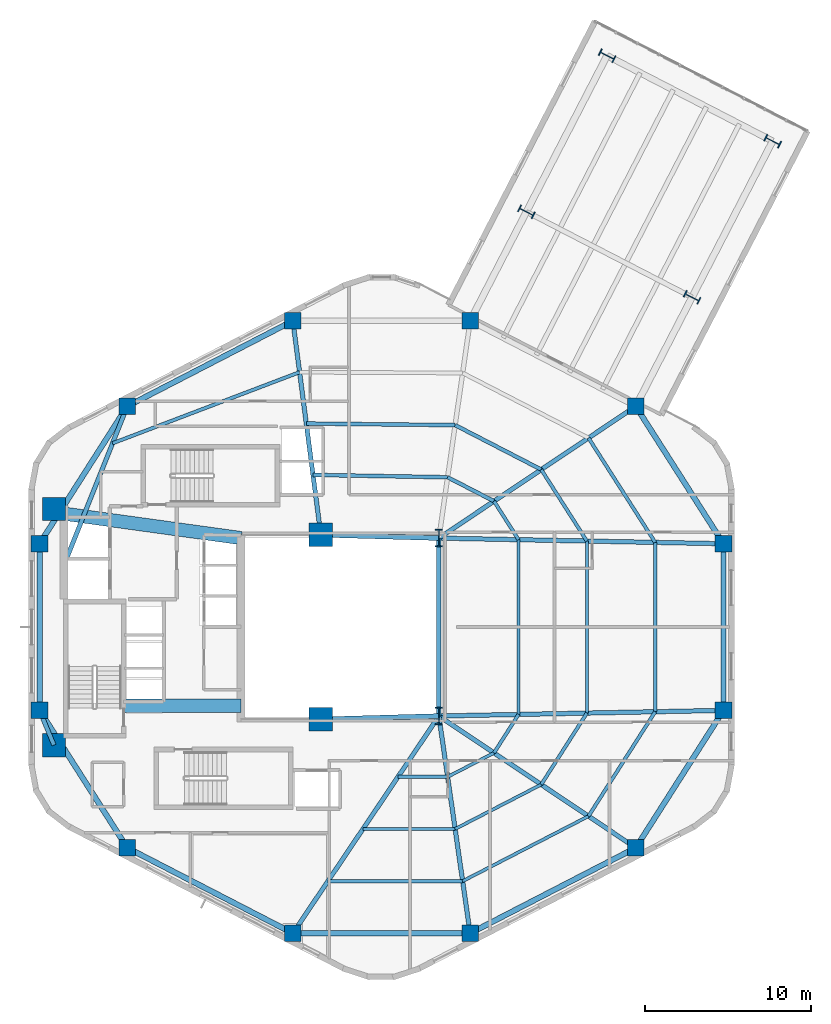
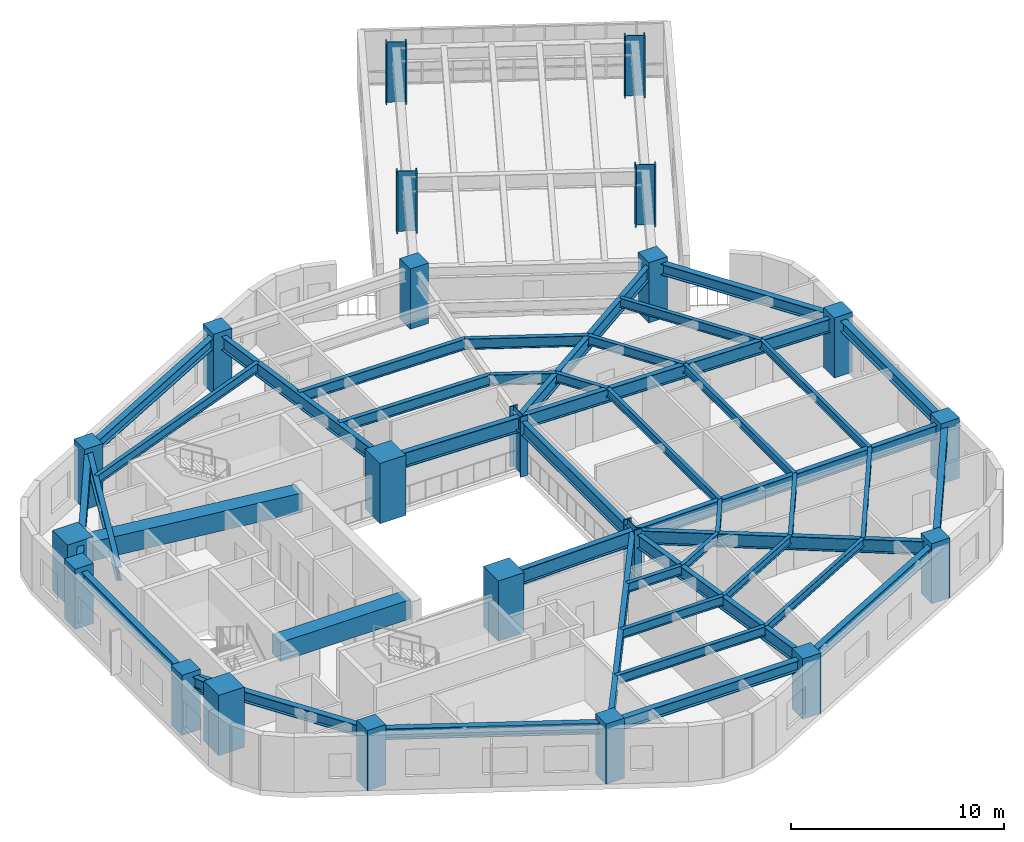
# One storey, part 1 of 10: 44 beams, 22 columns.
"""IFC4 building model written with IfcOpenShell, lengths in metres."""

import ifcopenshell
import ifcopenshell.guid

model = None  # the IFC model being written
_history = None  # IfcOwnerHistory: only IFC2X3 demands one
_inside = {}  # id of a spatial element -> (the spatial element, [elements in it])
_under = {}  # id of a project, library or spatial element -> (it, [spatial elements below it])
_declared = {}  # id of a project -> (the project, [libraries it declares])
_typed = {}  # id of a type object -> (the type object, [elements of that type])
_made_of = {}  # id of a material, layer set ... -> (it, [elements and type objects made of it])


def new_model(schema):
    """Start an empty IFC model of exactly this schema.

    Asked for "IFC4X3", IfcOpenShell would pick the latest addendum, in which some entities
    have other attributes; the version numbers below select the first issue.
    IFC2X3 requires an IfcOwnerHistory on every rooted entity: one is made here for all.
    """
    global model, _history
    if schema == "IFC4X3":
        model = ifcopenshell.file(schema_version=(4, 3, 0, 0))
    else:
        model = ifcopenshell.file(schema=schema)
    _inside.clear()
    _under.clear()
    _declared.clear()
    _typed.clear()
    _made_of.clear()
    _history = None
    if model.schema == "IFC2X3":
        org = make("IfcOrganization", Name="unknown")
        user = make(
            "IfcPersonAndOrganization",
            ThePerson=make("IfcPerson", FamilyName="unknown"),
            TheOrganization=org,
        )
        app = make(
            "IfcApplication",
            ApplicationDeveloper=org,
            Version="unknown",
            ApplicationFullName="unknown",
            ApplicationIdentifier="unknown",
        )
        _history = make(
            "IfcOwnerHistory",
            OwningUser=user,
            OwningApplication=app,
            ChangeAction="ADDED",
            CreationDate=0,
        )
    return model


def make(cls, **values):
    """One entity of the class cls with the attributes given. An attribute that is None is left unset."""
    return model.create_entity(
        cls, **{name: value for name, value in values.items() if value is not None}
    )


def rooted(cls, **values):
    """An entity with a GlobalId (a new one), such as an element, a storey or a relation."""
    return make(cls, GlobalId=ifcopenshell.guid.new(), OwnerHistory=_history, **values)


def si_unit(unit_type, name, prefix=None):
    """IfcSIUnit, for example si_unit("LENGTHUNIT", "METRE", prefix="MILLI")."""
    return make("IfcSIUnit", UnitType=unit_type, Prefix=prefix, Name=name)


def assignment(units):
    """IfcUnitAssignment: the units of a project."""
    return None if units is None else make("IfcUnitAssignment", Units=units)


def point(xyz):
    """IfcCartesianPoint."""
    return None if xyz is None else make("IfcCartesianPoint", Coordinates=xyz)


def direction(xyz):
    """IfcDirection."""
    return None if xyz is None else make("IfcDirection", DirectionRatios=xyz)


def frame(location, z_axis=None, x_axis=None):
    """IfcAxis2Placement3D, a coordinate frame: its origin and axes. An axis left out is left unset."""
    return make(
        "IfcAxis2Placement3D",
        Location=point(location),
        Axis=direction(z_axis),
        RefDirection=direction(x_axis),
    )


def frame_2d(location, x_axis=None):
    """IfcAxis2Placement2D, a coordinate frame in the plane: its origin and x axis."""
    return make(
        "IfcAxis2Placement2D", Location=point(location), RefDirection=direction(x_axis)
    )


def origin():
    """The frame at (0, 0, 0) with its axes left unset."""
    return frame((0.0, 0.0, 0.0))


def origin_2d():
    """The frame at (0, 0) in the plane with its x axis left unset."""
    return frame_2d((0.0, 0.0))


def place(relative_to, where):
    """IfcLocalPlacement: puts the frame where relative to a parent placement (None: the world)."""
    return make(
        "IfcLocalPlacement", PlacementRelTo=relative_to, RelativePlacement=where
    )


def context(
    kind, dimensions, precision=None, world=None, true_north=None, identifier=None
):
    """IfcGeometricRepresentationContext, for example the 3D "Model" context."""
    return make(
        "IfcGeometricRepresentationContext",
        ContextIdentifier=identifier,
        ContextType=kind,
        CoordinateSpaceDimension=dimensions,
        Precision=precision,
        WorldCoordinateSystem=world,
        TrueNorth=true_north,
    )


def subcontext(parent, identifier, kind, view, scale=None):
    """IfcGeometricRepresentationSubContext, for example "Body" below "Model"."""
    return make(
        "IfcGeometricRepresentationSubContext",
        ContextIdentifier=identifier,
        ContextType=kind,
        ParentContext=parent,
        TargetScale=scale,
        TargetView=view,
    )


def project(units=None, contexts=None):
    """IfcProject with its units and contexts."""
    return rooted(
        "IfcProject",
        Name="project",
        RepresentationContexts=contexts,
        UnitsInContext=assignment(units),
    )


def spatial(cls, under=None, at=None, **own):
    """A site, building, storey or space (cls), placed at a placement, below another one or the project."""
    s = rooted(cls, ObjectPlacement=at, **own)
    if under is not None:
        _under.setdefault(under.id(), (under, []))[1].append(s)
    return s


def profile(cls, at=None, kind="AREA", **sizes):
    """A parametric profile (cls). Its sizes go by their IFC names, for example OverallWidth=200.0."""
    return make(cls, ProfileType=kind, Position=at, **sizes)


def rectangle(**sizes):
    """IfcRectangleProfileDef."""
    return profile("IfcRectangleProfileDef", **sizes)


def i_section(**sizes):
    """IfcIShapeProfileDef."""
    return profile("IfcIShapeProfileDef", **sizes)


def extrude(swept, where, along, depth):
    """IfcExtrudedAreaSolid: the profile swept, set in the frame where, extruded along a direction by depth."""
    return make(
        "IfcExtrudedAreaSolid",
        SweptArea=swept,
        Position=where,
        ExtrudedDirection=direction(along),
        Depth=depth,
    )


def shape(context_of_items, identifier, shape_type, items):
    """IfcShapeRepresentation: the items that make up one representation, for example the "Body"."""
    return make(
        "IfcShapeRepresentation",
        ContextOfItems=context_of_items,
        RepresentationIdentifier=identifier,
        RepresentationType=shape_type,
        Items=items,
    )


def material(Name=None, Category=None):
    """IfcMaterial."""
    return make("IfcMaterial", Name=Name, Category=Category)


def material_profile(
    of_material, cross_section, Name=None, Category=None, Priority=None
):
    """IfcMaterialProfile: a cross section and its material."""
    return make(
        "IfcMaterialProfile",
        Name=Name,
        Material=of_material,
        Profile=cross_section,
        Priority=Priority,
        Category=Category,
    )


def profile_set(profiles, Name=None, composite=None):
    """IfcMaterialProfileSet."""
    return make(
        "IfcMaterialProfileSet",
        Name=Name,
        MaterialProfiles=profiles,
        CompositeProfile=composite,
    )


def made_of(thing, what):
    """Note that an element or type object is made of a material, layer set ...; save() writes the relation."""
    if what is not None:
        _made_of.setdefault(what.id(), (what, []))[1].append(thing)
    return thing


def type_object(cls, material=None, **own):
    """A type object (cls), such as IfcWallType, which elements share."""
    return made_of(rooted(cls, **own), material)


def element(
    cls,
    number,
    at=None,
    inside=None,
    cuts=None,
    type_object=None,
    material=None,
    context=None,
    identifier="Body",
    shape_type=None,
    held_by="IfcProductDefinitionShape",
    body=None,
    shapes=None,
    **own,
):
    """One element of the class cls, such as IfcWall. Its Tag is "e" and its number.

    at: its placement. inside: the storey or other place that contains it. cuts: it is an
    opening in that element (IfcRelVoidsElement). A single representation is given by context,
    identifier, shape_type and body (its items); several are given by shapes. held_by: the class
    of the entity that holds the representations. save() writes the other relations.
    """
    e = rooted(cls, Tag="e%d" % number, ObjectPlacement=at, **own)
    if body is not None:
        shapes = [shape(context, identifier, shape_type, body)]
    if shapes is not None:
        e.Representation = make(held_by, Representations=shapes)
    if inside is not None:
        _inside.setdefault(inside.id(), (inside, []))[1].append(e)
    if cuts is not None:
        rooted(
            "IfcRelVoidsElement", RelatingBuildingElement=cuts, RelatedOpeningElement=e
        )
    if type_object is not None:
        _typed.setdefault(type_object.id(), (type_object, []))[1].append(e)
    return made_of(e, material)


def aggregate(whole, parts):
    """IfcRelAggregates: a whole, such as a stair, and the parts it consists of."""
    return rooted("IfcRelAggregates", RelatingObject=whole, RelatedObjects=parts)


def save(model, path):
    """Write the relations noted so far, then the file.

    IfcRelAggregates (storeys below a building ...), IfcRelContainedInSpatialStructure (elements
    in a storey), IfcRelDefinesByType, IfcRelAssociatesMaterial and IfcRelDeclares: one each for
    every whole, place, type object, material and project.
    """
    for whole, parts in _under.values():
        aggregate(whole, parts)
    for where, things in _inside.values():
        rooted(
            "IfcRelContainedInSpatialStructure",
            RelatedElements=things,
            RelatingStructure=where,
        )
    for kind, things in _typed.values():
        rooted("IfcRelDefinesByType", RelatedObjects=things, RelatingType=kind)
    for what, things in _made_of.values():
        rooted("IfcRelAssociatesMaterial", RelatedObjects=things, RelatingMaterial=what)
    for by, libraries in _declared.values():
        rooted("IfcRelDeclares", RelatingContext=by, RelatedDefinitions=libraries)
    model.write(path)


model = new_model("IFC4")

# Units and contexts
model_context = context("Model", 3, precision=1e-05, world=origin(), true_north=direction((0.0, 1.0)))
body_context = subcontext(model_context, "Body", "Model", "MODEL_VIEW")
ifc_project = project(units=[si_unit("LENGTHUNIT", "METRE"), si_unit("AREAUNIT", "SQUARE_METRE"), si_unit("VOLUMEUNIT", "CUBIC_METRE"), si_unit("PLANEANGLEUNIT", "RADIAN"), si_unit("MASSUNIT", "GRAM", prefix="KILO"), si_unit("THERMODYNAMICTEMPERATUREUNIT", "KELVIN"), si_unit("POWERUNIT", "WATT")], contexts=[model_context])

# Site, building, storey
site_placement = place(None, origin())
site = spatial("IfcSite", under=ifc_project, at=site_placement, CompositionType="ELEMENT")
building_placement = place(site_placement, origin())
building = spatial("IfcBuilding", under=site, at=building_placement, Name="Skarre Station Tower", CompositionType="ELEMENT")
storey_placement = place(building_placement, frame((0.0, 0.0, 115.35009765625)))
storey = spatial("IfcBuildingStorey", under=building, at=storey_placement, Name="L30", CompositionType="ELEMENT", Elevation=115.35009765625)

# Columns
ifc_material_1 = material(Name="Concrete C60/75", Category="concrete")
ifc_material_profile_1 = material_profile(ifc_material_1, rectangle(XDim=1.0, YDim=1.0, at=origin_2d()), Name="Concrete C60/75")
ifc_profile_set_1 = profile_set([ifc_material_profile_1], Name="Concrete C60/75")
column_type_1 = type_object("IfcColumnType", Name="RC Structural Column RC-COL-1000X1000", PredefinedType="COLUMN", material=ifc_profile_set_1)
for number, where, z_axis, x_axis, name in (
    (1, (51.291015625, 37.277099609375, 0.0), (0.0, 0.0, 1.0), (1.0, 0.0, 0.0), "L30 Zone 2 Perimeter Column F0C1"),
    (2, (41.3310546875, 42.41796875, 0.0), (0.0, 0.0, 1.0), (1.0, 0.0, 0.0), "L30 Zone 2 Perimeter Column F0C2"),
    (3, (30.6689453125, 42.41796875, 0.0), (0.0, 0.0, 1.0), (1.0, 0.0, 0.0), "L30 Zone 2 Perimeter Column F1C1"),
    (4, (20.708984375, 37.277099609375, 0.0), (0.0, 0.0, 1.0), (1.0, 0.0, 0.0), "L30 Zone 2 Perimeter Column F1C2"),
    (5, (15.431884765625, 29.010986328125, 0.0), (0.0, 0.0, 1.0), (1.0, 0.0, 0.0), "L30 Zone 2 Perimeter Column F2C1"),
    (6, (15.431884765625, 18.989013671875, 0.0), (0.0, 0.0, 1.0), (1.0, 0.0, 0.0), "L30 Zone 2 Perimeter Column F2C2"),
    (7, (20.708984375, 10.722900390625, 0.0), (0.0, 0.0, 1.0), (1.0, 0.0, 0.0), "L30 Zone 2 Perimeter Column F3C1"),
    (8, (30.6689453125, 5.58203125, 0.0), (0.0, 0.0, 1.0), (1.0, 0.0, 0.0), "L30 Zone 2 Perimeter Column F3C2"),
    (9, (41.3310546875, 5.58203125, 0.0), (0.0, 0.0, 1.0), (1.0, 0.0, 0.0), "L30 Zone 2 Perimeter Column F4C1"),
    (10, (51.291015625, 10.722900390625, 0.0), (0.0, 0.0, 1.0), (1.0, 0.0, 0.0), "L30 Zone 2 Perimeter Column F4C2"),
    (11, (56.568115234375, 18.989013671875, 0.0), (0.0, 0.0, 1.0), (1.0, 0.0, 0.0), "L30 Zone 2 Perimeter Column F5C1"),
    (12, (56.568115234375, 29.010986328125, 0.0), (0.0, 0.0, 1.0), (1.0, 0.0, 0.0), "L30 Zone 2 Perimeter Column F5C2"),
):
    element("IfcColumn", number, at=place(storey_placement, frame(where, z_axis=z_axis, x_axis=x_axis)), inside=storey, type_object=column_type_1, Name=name, PredefinedType="COLUMN", context=body_context, shape_type="SweptSolid", body=[
        extrude(rectangle(XDim=1.0, YDim=1.0, at=origin_2d()), origin(), (0.0, 0.0, 1.0), 3.449951171875),
    ])
ifc_material_2 = material(Name="Concrete C70/85", Category="concrete")
ifc_material_profile_2 = material_profile(ifc_material_2, rectangle(XDim=1.39990234375, YDim=1.39990234375, at=origin_2d()), Name="Concrete C70/85")
ifc_profile_set_2 = profile_set([ifc_material_profile_2], Name="Concrete C70/85")
column_type_2 = type_object("IfcColumnType", Name="RC Structural Column RC-COL-1400X1400", PredefinedType="COLUMN", material=ifc_profile_set_2)
for number, where, z_axis, x_axis, name in (
    (13, (16.300048828125, 16.89990234375, 0.0), (0.0, 0.0, 1.0), (1.0, 0.0, 0.0), "L30 Core Column CC-SW"),
    (14, (16.300048828125, 31.10009765625, 0.0), (0.0, 0.0, 1.0), (1.0, 0.0, 0.0), "L30 Core Column CC-NW"),
    (15, (32.35009765625, 18.449951171875, 0.0), (0.0, 0.0, 1.0), (1.0, 0.0, 0.0), "L30 Core Column CC-SE"),
    (16, (32.35009765625, 29.550048828125, 0.0), (0.0, 0.0, 1.0), (1.0, 0.0, 0.0), "L30 Core Column CC-NE"),
):
    element("IfcColumn", number, at=place(storey_placement, frame(where, z_axis=z_axis, x_axis=x_axis)), inside=storey, type_object=column_type_2, Name=name, PredefinedType="COLUMN", context=body_context, shape_type="SweptSolid", body=[
        extrude(rectangle(XDim=1.39990234375, YDim=1.39990234375, at=origin_2d()), origin(), (0.0, 0.0, 1.0), 3.449951171875),
    ])
ifc_material_3 = material(Name="Steel ASTM A913 Grade 65", Category="steel")
ifc_material_profile_3 = material_profile(ifc_material_3, i_section(OverallWidth=0.430908203125, OverallDepth=0.987060546875, WebThickness=0.033935546875, FlangeThickness=0.06201171875, at=origin_2d()), Name="Steel ASTM A913 Grade 65")
ifc_profile_set_3 = profile_set([ifc_material_profile_3], Name="Steel ASTM A913 Grade 65")
column_type_3 = type_object("IfcColumnType", Name="Steel Column W36X441", PredefinedType="COLUMN", material=ifc_profile_set_3)
for number, where, z_axis, x_axis, name in (
    (17, (54.676025390625, 43.8349609375, 0.0), (0.0, 0.0, 1.0), (0.458649554484, 0.888617232655, 0.0), "L30 SB-2 Sky-Bar Frame Column M1"),
    (18, (44.716064453125, 48.97607421875, 0.0), (0.0, 0.0, 1.0), (0.458649554484, 0.888617232655, 0.0), "L30 SB-2 Sky-Bar Frame Column M2"),
    (19, (59.52392578125, 53.22705078125, 0.0), (0.0, 0.0, 1.0), (0.458649554484, 0.888617232655, 0.0), "L30 SB-2 Sky-Bar Frame Column T1"),
    (20, (49.56396484375, 58.367919921875, 0.0), (0.0, 0.0, 1.0), (0.458649554484, 0.888617232655, 0.0), "L30 SB-2 Sky-Bar Frame Column T2"),
):
    element("IfcColumn", number, at=place(storey_placement, frame(where, z_axis=z_axis, x_axis=x_axis)), inside=storey, type_object=column_type_3, Name=name, PredefinedType="COLUMN", context=body_context, shape_type="SweptSolid", body=[
        extrude(i_section(OverallWidth=0.430908203125, OverallDepth=0.987060546875, WebThickness=0.033935546875, FlangeThickness=0.06201171875, at=origin_2d()), origin(), (0.0, 0.0, 1.0), 3.449951171875),
    ])
ifc_material_profile_4 = material_profile(ifc_material_3, i_section(OverallWidth=0.409912109375, OverallDepth=1.041015625, WebThickness=0.031005859375, FlangeThickness=0.055908203125, at=origin_2d()), Name="Steel ASTM A913 Grade 65")
ifc_profile_set_4 = profile_set([ifc_material_profile_4], Name="Steel ASTM A913 Grade 65")
column_type_4 = type_object("IfcColumnType", Name="Steel Column W40X397", PredefinedType="COLUMN", material=ifc_profile_set_4)
for number, where, z_axis, x_axis, name in (
    (21, (39.449951171875, 18.64990234375, 0.0), (0.0, 0.0, 1.0), (1.0, 0.0, 0.0), "L30 Atrium Spine Column AC-SE"),
    (22, (39.449951171875, 29.35009765625, 0.0), (0.0, 0.0, 1.0), (1.0, 0.0, 0.0), "L30 Atrium Spine Column AC-NE"),
):
    element("IfcColumn", number, at=place(storey_placement, frame(where, z_axis=z_axis, x_axis=x_axis)), inside=storey, type_object=column_type_4, Name=name, PredefinedType="COLUMN", context=body_context, shape_type="SweptSolid", body=[
        extrude(i_section(OverallWidth=0.409912109375, OverallDepth=1.041015625, WebThickness=0.031005859375, FlangeThickness=0.055908203125, at=origin_2d()), origin(), (0.0, 0.0, 1.0), 3.449951171875),
    ])

# Beams
ifc_material_profile_5 = material_profile(ifc_material_2, rectangle(XDim=0.800048828125, YDim=1.10009765625, at=origin_2d()), Name="Concrete C70/85")
ifc_profile_set_5 = profile_set([ifc_material_profile_5], Name="Concrete C70/85")
beam_type_1 = type_object("IfcBeamType", Name="RC Core Coupling Lintel 800x1100", PredefinedType="LINTEL", material=ifc_profile_set_5)
beam_1_placement = place(storey_placement, frame((20.489990234375, 19.260009765625, 2.60986328125), z_axis=(1.0, 0.0, 0.0), x_axis=(0.0, 1.0, 0.0)))
element("IfcBeam", 23, at=beam_1_placement, inside=storey, type_object=beam_type_1, Name="L30 South Core Coupling Lintel", PredefinedType="LINTEL", context=body_context, shape_type="SweptSolid", body=[
    extrude(rectangle(XDim=0.800048828125, YDim=1.10009765625, at=origin_2d()), origin(), (0.0, 0.0, 1.0), 7.06005859375),
])
beam_2_placement = place(storey_placement, frame((17.050048828125, 30.800048828125, 2.60986328125), z_axis=(0.990599723633, -0.136792498109, 0.0), x_axis=(0.136792498109, 0.990599723633, 0.0)))
element("IfcBeam", 24, at=beam_2_placement, inside=storey, type_object=beam_type_1, Name="L30 North Core Coupling Lintel", PredefinedType="LINTEL", context=body_context, shape_type="SweptSolid", body=[
    extrude(rectangle(XDim=0.800048828125, YDim=1.10009765625, at=origin_2d()), origin(), (0.0, 0.0, 1.0), 10.599609375),
])
ifc_material_4 = material(Name="Steel ASTM A992 Grade 50", Category="steel")
ifc_material_profile_6 = material_profile(ifc_material_4, i_section(OverallWidth=0.26806640625, OverallDepth=0.77001953125, WebThickness=0.01611328125, FlangeThickness=0.02490234375, at=origin_2d()), Name="Steel ASTM A992 Grade 50")
ifc_profile_set_6 = profile_set([ifc_material_profile_6], Name="Steel ASTM A992 Grade 50")
beam_type_2 = type_object("IfcBeamType", Name="Steel Beam W30X132", PredefinedType="BEAM", material=ifc_profile_set_6)
beam_3_placement = place(storey_placement, frame((39.449951171875, 18.64990234375, 2.77490234375), z_axis=(0.0, 1.0, 0.0), x_axis=(-1.0, 0.0, 0.0)))
element("IfcBeam", 25, at=beam_3_placement, inside=storey, type_object=beam_type_2, Name="L30 Atrium East Edge Girder", PredefinedType="BEAM", context=body_context, shape_type="SweptSolid", body=[
    extrude(i_section(OverallWidth=0.26806640625, OverallDepth=0.77001953125, WebThickness=0.01611328125, FlangeThickness=0.02490234375, at=origin_2d()), origin(), (0.0, 0.0, 1.0), 10.7001953125),
])
beam_4_placement = place(storey_placement, frame((39.449951171875, 29.35009765625, 2.77490234375), z_axis=(0.830981218317, 0.556300471692, 0.0), x_axis=(-0.556300471692, 0.830981218317, 0.0)))
element("IfcBeam", 26, at=beam_4_placement, inside=storey, type_object=beam_type_2, Name="L30 Radial Floor Girder F0C1", PredefinedType="BEAM", context=body_context, shape_type="SweptSolid", body=[
    extrude(i_section(OverallWidth=0.26806640625, OverallDepth=0.77001953125, WebThickness=0.01611328125, FlangeThickness=0.02490234375, at=origin_2d()), origin(), (0.0, 0.0, 1.0), 14.24951171875),
])
beam_5_placement = place(storey_placement, frame((32.35009765625, 29.550048828125, 2.77490234375), z_axis=(-0.129545878778, 0.991573429097, 0.0), x_axis=(-0.991573429097, -0.129545878778, 0.0)))
element("IfcBeam", 27, at=beam_5_placement, inside=storey, type_object=beam_type_2, Name="L30 Radial Floor Girder F1C1", PredefinedType="BEAM", context=body_context, shape_type="SweptSolid", body=[
    extrude(i_section(OverallWidth=0.26806640625, OverallDepth=0.77001953125, WebThickness=0.01611328125, FlangeThickness=0.02490234375, at=origin_2d()), origin(), (0.0, 0.0, 1.0), 12.977294921875),
])
beam_6_placement = place(storey_placement, frame((17.010009765625, 28.0, 2.77490234375), z_axis=(0.370366288946, 0.928885790618, 0.0), x_axis=(-0.928885790618, 0.370366288946, 0.0)))
element("IfcBeam", 28, at=beam_6_placement, inside=storey, type_object=beam_type_2, Name="L30 Radial Floor Girder F1C2", PredefinedType="BEAM", context=body_context, shape_type="SweptSolid", body=[
    extrude(i_section(OverallWidth=0.26806640625, OverallDepth=0.77001953125, WebThickness=0.01611328125, FlangeThickness=0.02490234375, at=origin_2d()), origin(), (0.0, 0.0, 1.0), 9.9873046875),
])
beam_7_placement = place(storey_placement, frame((16.300048828125, 16.89990234375, 2.77490234375), z_axis=(-0.383749333092, 0.923437301256, 0.0), x_axis=(-0.923437301256, -0.383749333092, 0.0)))
element("IfcBeam", 29, at=beam_7_placement, inside=storey, type_object=beam_type_2, Name="L30 Radial Floor Girder F2C2", PredefinedType="BEAM", context=body_context, shape_type="SweptSolid", body=[
    extrude(i_section(OverallWidth=0.26806640625, OverallDepth=0.77001953125, WebThickness=0.01611328125, FlangeThickness=0.02490234375, at=origin_2d()), origin(), (0.0, 0.0, 1.0), 2.26220703125),
])
beam_8_placement = place(storey_placement, frame((39.449951171875, 18.64990234375, 2.77490234375), z_axis=(-0.55773464691, -0.830019315219, 0.0), x_axis=(0.830019315219, -0.55773464691, 0.0)))
element("IfcBeam", 30, at=beam_8_placement, inside=storey, type_object=beam_type_2, Name="L30 Radial Floor Girder F3C2", PredefinedType="BEAM", context=body_context, shape_type="SweptSolid", body=[
    extrude(i_section(OverallWidth=0.26806640625, OverallDepth=0.77001953125, WebThickness=0.01611328125, FlangeThickness=0.02490234375, at=origin_2d()), origin(), (0.0, 0.0, 1.0), 15.744140625),
])
beam_9_placement = place(storey_placement, frame((39.449951171875, 18.64990234375, 2.77490234375), z_axis=(0.142480121776, -0.989797663616, 0.0), x_axis=(0.989797663616, 0.142480121776, 0.0)))
element("IfcBeam", 31, at=beam_9_placement, inside=storey, type_object=beam_type_2, Name="L30 Radial Floor Girder F4C1", PredefinedType="BEAM", context=body_context, shape_type="SweptSolid", body=[
    extrude(i_section(OverallWidth=0.26806640625, OverallDepth=0.77001953125, WebThickness=0.01611328125, FlangeThickness=0.02490234375, at=origin_2d()), origin(), (0.0, 0.0, 1.0), 13.20263671875),
])
beam_10_placement = place(storey_placement, frame((39.449951171875, 18.64990234375, 2.77490234375), z_axis=(0.830981218317, -0.556300471692, 0.0), x_axis=(0.556300471692, 0.830981218317, 0.0)))
element("IfcBeam", 32, at=beam_10_placement, inside=storey, type_object=beam_type_2, Name="L30 Radial Floor Girder F4C2", PredefinedType="BEAM", context=body_context, shape_type="SweptSolid", body=[
    extrude(i_section(OverallWidth=0.26806640625, OverallDepth=0.77001953125, WebThickness=0.01611328125, FlangeThickness=0.02490234375, at=origin_2d()), origin(), (0.0, 0.0, 1.0), 14.24951171875),
])
for number, where, z_axis, x_axis, name in (
    (33, (39.449951171875, 18.64990234375, 2.77490234375), (0.999803839107, 0.019806143142, 0.0), (-0.019806143142, 0.999803839107, 0.0), "L30 Radial Floor Girder F5C1"),
    (34, (39.449951171875, 29.35009765625, 2.77490234375), (0.999803839107, -0.019806143142, 0.0), (0.019806143142, 0.999803839107, 0.0), "L30 Radial Floor Girder F5C2"),
):
    element("IfcBeam", number, at=place(storey_placement, frame(where, z_axis=z_axis, x_axis=x_axis)), inside=storey, type_object=beam_type_2, Name=name, PredefinedType="BEAM", context=body_context, shape_type="SweptSolid", body=[
        extrude(i_section(OverallWidth=0.26806640625, OverallDepth=0.77001953125, WebThickness=0.01611328125, FlangeThickness=0.02490234375, at=origin_2d()), origin(), (0.0, 0.0, 1.0), 17.12158203125),
    ])
ifc_material_profile_7 = material_profile(ifc_material_4, i_section(OverallWidth=0.2919921875, OverallDepth=0.85888671875, WebThickness=0.01708984375, FlangeThickness=0.031005859375, at=origin_2d()), Name="Steel ASTM A992 Grade 50")
ifc_profile_set_7 = profile_set([ifc_material_profile_7], Name="Steel ASTM A992 Grade 50")
beam_type_3 = type_object("IfcBeamType", Name="Steel Beam W33X169", PredefinedType="BEAM", material=ifc_profile_set_7)
for number, where, z_axis, x_axis, name in (
    (35, (32.35009765625, 18.449951171875, 2.73095703125), (0.999603666405, 0.028151556095, 0.0), (-0.028151556095, 0.999603666405, 0.0), "L30 Atrium South Edge Girder"),
    (36, (32.35009765625, 29.550048828125, 2.73095703125), (0.999603666405, -0.028151556095, 0.0), (0.028151556095, 0.999603666405, 0.0), "L30 Atrium North Edge Girder"),
):
    element("IfcBeam", number, at=place(storey_placement, frame(where, z_axis=z_axis, x_axis=x_axis)), inside=storey, type_object=beam_type_3, Name=name, PredefinedType="BEAM", context=body_context, shape_type="SweptSolid", body=[
        extrude(i_section(OverallWidth=0.2919921875, OverallDepth=0.85888671875, WebThickness=0.01708984375, FlangeThickness=0.031005859375, at=origin_2d()), origin(), (0.0, 0.0, 1.0), 7.102783203125),
    ])
ifc_material_profile_8 = material_profile(ifc_material_4, i_section(OverallWidth=0.19091796875, OverallDepth=0.45703125, WebThickness=0.009033203125, FlangeThickness=0.013916015625, at=origin_2d()), Name="Steel ASTM A992 Grade 50")
ifc_profile_set_8 = profile_set([ifc_material_profile_8], Name="Steel ASTM A992 Grade 50")
beam_type_4 = type_object("IfcBeamType", Name="Steel Joist W18X50", PredefinedType="JOIST", material=ifc_profile_set_8)
beam_11_placement = place(storey_placement, frame((39.97705078125, 14.990966796875, 2.931884765625), z_axis=(0.88861042596, 0.458662741975, 0.0), x_axis=(-0.458662741975, 0.88861042596, 0.0)))
element("IfcBeam", 37, at=beam_11_placement, inside=storey, type_object=beam_type_4, Name="L30 Auxiliary Composite Joist 13", PredefinedType="JOIST", context=body_context, shape_type="SweptSolid", body=[
    extrude(i_section(OverallWidth=0.19091796875, OverallDepth=0.45703125, WebThickness=0.009033203125, FlangeThickness=0.013916015625, at=origin_2d()), origin(), (0.0, 0.0, 1.0), 3.13720703125),
])
beam_12_placement = place(storey_placement, frame((40.427978515625, 11.85498046875, 2.931884765625), z_axis=(0.888614598919, 0.458654657218, 0.0), x_axis=(-0.458654657218, 0.888614598919, 0.0)))
element("IfcBeam", 38, at=beam_12_placement, inside=storey, type_object=beam_type_4, Name="L30 Auxiliary Composite Joist 14", PredefinedType="JOIST", context=body_context, shape_type="SweptSolid", body=[
    extrude(i_section(OverallWidth=0.19091796875, OverallDepth=0.45703125, WebThickness=0.009033203125, FlangeThickness=0.013916015625, at=origin_2d()), origin(), (0.0, 0.0, 1.0), 5.828125),
])
beam_13_placement = place(storey_placement, frame((40.8798828125, 8.718017578125, 2.931884765625), z_axis=(0.888603699553, 0.45867577344, 0.0), x_axis=(-0.45867577344, 0.888603699553, 0.0)))
element("IfcBeam", 39, at=beam_13_placement, inside=storey, type_object=beam_type_4, Name="L30 Auxiliary Composite Joist 15", PredefinedType="JOIST", context=body_context, shape_type="SweptSolid", body=[
    extrude(i_section(OverallWidth=0.19091796875, OverallDepth=0.45703125, WebThickness=0.009033203125, FlangeThickness=0.013916015625, at=origin_2d()), origin(), (0.0, 0.0, 1.0), 8.51806640625),
])
beam_14_placement = place(storey_placement, frame((44.242919921875, 18.7451171875, 2.931884765625), z_axis=(0.0, 1.0, 0.0), x_axis=(-1.0, 0.0, 0.0)))
element("IfcBeam", 40, at=beam_14_placement, inside=storey, type_object=beam_type_4, Name="L30 Auxiliary Composite Joist 19", PredefinedType="JOIST", context=body_context, shape_type="SweptSolid", body=[
    extrude(i_section(OverallWidth=0.19091796875, OverallDepth=0.45703125, WebThickness=0.009033203125, FlangeThickness=0.013916015625, at=origin_2d()), origin(), (0.0, 0.0, 1.0), 10.509765625),
])
beam_15_placement = place(storey_placement, frame((48.35107421875, 18.825927734375, 2.931884765625), z_axis=(0.0, 1.0, 0.0), x_axis=(-1.0, 0.0, 0.0)))
element("IfcBeam", 41, at=beam_15_placement, inside=storey, type_object=beam_type_4, Name="L30 Auxiliary Composite Joist 20", PredefinedType="JOIST", context=body_context, shape_type="SweptSolid", body=[
    extrude(i_section(OverallWidth=0.19091796875, OverallDepth=0.45703125, WebThickness=0.009033203125, FlangeThickness=0.013916015625, at=origin_2d()), origin(), (0.0, 0.0, 1.0), 10.34814453125),
])
beam_16_placement = place(storey_placement, frame((52.4599609375, 18.907958984375, 2.931884765625), z_axis=(0.0, 1.0, 0.0), x_axis=(-1.0, 0.0, 0.0)))
element("IfcBeam", 42, at=beam_16_placement, inside=storey, type_object=beam_type_4, Name="L30 Auxiliary Composite Joist 21", PredefinedType="JOIST", context=body_context, shape_type="SweptSolid", body=[
    extrude(i_section(OverallWidth=0.19091796875, OverallDepth=0.45703125, WebThickness=0.009033203125, FlangeThickness=0.013916015625, at=origin_2d()), origin(), (0.0, 0.0, 1.0), 10.18408203125),
])
ifc_material_profile_9 = material_profile(ifc_material_4, i_section(OverallWidth=0.208984375, OverallDepth=0.532958984375, WebThickness=0.010009765625, FlangeThickness=0.01611328125, at=origin_2d()), Name="Steel ASTM A992 Grade 50")
ifc_profile_set_9 = profile_set([ifc_material_profile_9], Name="Steel ASTM A992 Grade 50")
beam_type_5 = type_object("IfcBeamType", Name="Steel Joist W21X62", PredefinedType="JOIST", material=ifc_profile_set_9)
beam_17_placement = place(storey_placement, frame((31.072021484375, 39.330078125, 2.893798828125), z_axis=(-0.934681982826, -0.355485008094, 0.0), x_axis=(0.355485008094, -0.934681982826, 0.0)))
element("IfcBeam", 43, at=beam_17_placement, inside=storey, type_object=beam_type_5, Name="L30 Auxiliary Composite Joist 9", PredefinedType="JOIST", context=body_context, shape_type="SweptSolid", body=[
    extrude(i_section(OverallWidth=0.208984375, OverallDepth=0.532958984375, WebThickness=0.010009765625, FlangeThickness=0.01611328125, at=origin_2d()), origin(), (0.0, 0.0, 1.0), 12.037109375),
])
beam_18_placement = place(storey_placement, frame((36.990966796875, 14.990966796875, 2.893798828125), z_axis=(1.0, 0.0, 0.0), x_axis=(0.0, 1.0, 0.0)))
element("IfcBeam", 44, at=beam_18_placement, inside=storey, type_object=beam_type_5, Name="L30 Auxiliary Composite Joist 10", PredefinedType="JOIST", context=body_context, shape_type="SweptSolid", body=[
    extrude(i_section(OverallWidth=0.208984375, OverallDepth=0.532958984375, WebThickness=0.010009765625, FlangeThickness=0.01611328125, at=origin_2d()), origin(), (0.0, 0.0, 1.0), 2.986083984375),
])
beam_19_placement = place(storey_placement, frame((34.884033203125, 11.85498046875, 2.893798828125), z_axis=(1.0, 0.0, 0.0), x_axis=(0.0, 1.0, 0.0)))
element("IfcBeam", 45, at=beam_19_placement, inside=storey, type_object=beam_type_5, Name="L30 Auxiliary Composite Joist 11", PredefinedType="JOIST", context=body_context, shape_type="SweptSolid", body=[
    extrude(i_section(OverallWidth=0.208984375, OverallDepth=0.532958984375, WebThickness=0.010009765625, FlangeThickness=0.01611328125, at=origin_2d()), origin(), (0.0, 0.0, 1.0), 5.5439453125),
])
beam_20_placement = place(storey_placement, frame((32.77587890625, 8.718017578125, 2.893798828125), z_axis=(1.0, 0.0, 0.0), x_axis=(0.0, 1.0, 0.0)))
element("IfcBeam", 46, at=beam_20_placement, inside=storey, type_object=beam_type_5, Name="L30 Auxiliary Composite Joist 12", PredefinedType="JOIST", context=body_context, shape_type="SweptSolid", body=[
    extrude(i_section(OverallWidth=0.208984375, OverallDepth=0.532958984375, WebThickness=0.010009765625, FlangeThickness=0.01611328125, at=origin_2d()), origin(), (0.0, 0.0, 1.0), 8.10400390625),
])
beam_21_placement = place(storey_placement, frame((42.764892578125, 16.429931640625, 2.893798828125), z_axis=(0.538099948257, 0.84288103887, 0.0), x_axis=(-0.84288103887, 0.538099948257, 0.0)))
element("IfcBeam", 47, at=beam_21_placement, inside=storey, type_object=beam_type_5, Name="L30 Auxiliary Composite Joist 16", PredefinedType="JOIST", context=body_context, shape_type="SweptSolid", body=[
    extrude(i_section(OverallWidth=0.208984375, OverallDepth=0.532958984375, WebThickness=0.010009765625, FlangeThickness=0.01611328125, at=origin_2d()), origin(), (0.0, 0.0, 1.0), 2.746826171875),
])
beam_22_placement = place(storey_placement, frame((45.60693359375, 14.528076171875, 2.893798828125), z_axis=(0.538151254938, 0.842848282201, 0.0), x_axis=(-0.842848282201, 0.538151254938, 0.0)))
element("IfcBeam", 48, at=beam_22_placement, inside=storey, type_object=beam_type_5, Name="L30 Auxiliary Composite Joist 17", PredefinedType="JOIST", context=body_context, shape_type="SweptSolid", body=[
    extrude(i_section(OverallWidth=0.208984375, OverallDepth=0.532958984375, WebThickness=0.010009765625, FlangeThickness=0.01611328125, at=origin_2d()), origin(), (0.0, 0.0, 1.0), 5.09912109375),
])
beam_23_placement = place(storey_placement, frame((48.448974609375, 12.625, 2.893798828125), z_axis=(0.53809140179, 0.842886494921, 0.0), x_axis=(-0.842886494921, 0.53809140179, 0.0)))
element("IfcBeam", 49, at=beam_23_placement, inside=storey, type_object=beam_type_5, Name="L30 Auxiliary Composite Joist 18", PredefinedType="JOIST", context=body_context, shape_type="SweptSolid", body=[
    extrude(i_section(OverallWidth=0.208984375, OverallDepth=0.532958984375, WebThickness=0.010009765625, FlangeThickness=0.01611328125, at=origin_2d()), origin(), (0.0, 0.0, 1.0), 7.4541015625),
])
beam_24_placement = place(storey_placement, frame((44.242919921875, 29.2548828125, 2.893798828125), z_axis=(-0.538099948257, 0.84288103887, 0.0), x_axis=(-0.84288103887, -0.538099948257, 0.0)))
element("IfcBeam", 50, at=beam_24_placement, inside=storey, type_object=beam_type_5, Name="L30 Auxiliary Composite Joist 22", PredefinedType="JOIST", context=body_context, shape_type="SweptSolid", body=[
    extrude(i_section(OverallWidth=0.208984375, OverallDepth=0.532958984375, WebThickness=0.010009765625, FlangeThickness=0.01611328125, at=origin_2d()), origin(), (0.0, 0.0, 1.0), 2.746826171875),
])
beam_25_placement = place(storey_placement, frame((48.35107421875, 29.174072265625, 2.893798828125), z_axis=(-0.538151254938, 0.842848282201, 0.0), x_axis=(-0.842848282201, -0.538151254938, 0.0)))
element("IfcBeam", 51, at=beam_25_placement, inside=storey, type_object=beam_type_5, Name="L30 Auxiliary Composite Joist 23", PredefinedType="JOIST", context=body_context, shape_type="SweptSolid", body=[
    extrude(i_section(OverallWidth=0.208984375, OverallDepth=0.532958984375, WebThickness=0.010009765625, FlangeThickness=0.01611328125, at=origin_2d()), origin(), (0.0, 0.0, 1.0), 5.09912109375),
])
beam_26_placement = place(storey_placement, frame((52.4599609375, 29.092041015625, 2.893798828125), z_axis=(-0.53809140179, 0.842886494921, 0.0), x_axis=(-0.842886494921, -0.53809140179, 0.0)))
element("IfcBeam", 52, at=beam_26_placement, inside=storey, type_object=beam_type_5, Name="L30 Auxiliary Composite Joist 24", PredefinedType="JOIST", context=body_context, shape_type="SweptSolid", body=[
    extrude(i_section(OverallWidth=0.208984375, OverallDepth=0.532958984375, WebThickness=0.010009765625, FlangeThickness=0.01611328125, at=origin_2d()), origin(), (0.0, 0.0, 1.0), 7.4541015625),
])
ifc_material_profile_10 = material_profile(ifc_material_4, i_section(OverallWidth=0.22802734375, OverallDepth=0.60791015625, WebThickness=0.010986328125, FlangeThickness=0.01708984375, at=origin_2d()), Name="Steel ASTM A992 Grade 50")
ifc_profile_set_10 = profile_set([ifc_material_profile_10], Name="Steel ASTM A992 Grade 50")
beam_type_6 = type_object("IfcBeamType", Name="Steel Joist W24X76", PredefinedType="JOIST", material=ifc_profile_set_10)
beam_27_placement = place(storey_placement, frame((42.764892578125, 31.570068359375, 2.85595703125), z_axis=(-0.88861042596, 0.458662741975, 0.0), x_axis=(-0.458662741975, -0.88861042596, 0.0)))
element("IfcBeam", 53, at=beam_27_placement, inside=storey, type_object=beam_type_6, Name="L30 Secondary Floor Joist 1", PredefinedType="JOIST", context=body_context, shape_type="SweptSolid", body=[
    extrude(i_section(OverallWidth=0.22802734375, OverallDepth=0.60791015625, WebThickness=0.010986328125, FlangeThickness=0.01708984375, at=origin_2d()), origin(), (0.0, 0.0, 1.0), 3.13720703125),
])
beam_28_placement = place(storey_placement, frame((45.60693359375, 33.471923828125, 2.85595703125), z_axis=(-0.888614598919, 0.458654657218, 0.0), x_axis=(-0.458654657218, -0.888614598919, 0.0)))
element("IfcBeam", 54, at=beam_28_placement, inside=storey, type_object=beam_type_6, Name="L30 Secondary Floor Joist 2", PredefinedType="JOIST", context=body_context, shape_type="SweptSolid", body=[
    extrude(i_section(OverallWidth=0.22802734375, OverallDepth=0.60791015625, WebThickness=0.010986328125, FlangeThickness=0.01708984375, at=origin_2d()), origin(), (0.0, 0.0, 1.0), 5.828125),
])
beam_29_placement = place(storey_placement, frame((39.97705078125, 33.009033203125, 2.85595703125), z_axis=(-0.999841846049, 0.01778434396, 0.0), x_axis=(-0.01778434396, -0.999841846049, 0.0)))
element("IfcBeam", 55, at=beam_29_placement, inside=storey, type_object=beam_type_6, Name="L30 Secondary Floor Joist 4", PredefinedType="JOIST", context=body_context, shape_type="SweptSolid", body=[
    extrude(i_section(OverallWidth=0.22802734375, OverallDepth=0.60791015625, WebThickness=0.010986328125, FlangeThickness=0.01708984375, at=origin_2d()), origin(), (0.0, 0.0, 1.0), 8.099365234375),
])
beam_30_placement = place(storey_placement, frame((40.427978515625, 36.14501953125, 2.85595703125), z_axis=(-0.999942566282, 0.010717468802, 0.0), x_axis=(-0.010717468802, -0.999942566282, 0.0)))
element("IfcBeam", 56, at=beam_30_placement, inside=storey, type_object=beam_type_6, Name="L30 Secondary Floor Joist 5", PredefinedType="JOIST", context=body_context, shape_type="SweptSolid", body=[
    extrude(i_section(OverallWidth=0.22802734375, OverallDepth=0.60791015625, WebThickness=0.010986328125, FlangeThickness=0.01708984375, at=origin_2d()), origin(), (0.0, 0.0, 1.0), 8.952392578125),
])
ifc_material_profile_11 = material_profile(ifc_material_4, i_section(OverallWidth=0.327880859375, OverallDepth=0.6279296875, WebThickness=0.01708984375, FlangeThickness=0.028076171875, at=origin_2d()), Name="Steel ASTM A992 Grade 50")
ifc_profile_set_11 = profile_set([ifc_material_profile_11], Name="Steel ASTM A992 Grade 50")
beam_type_7 = type_object("IfcBeamType", Name="Steel Spandrel W24X146", PredefinedType="SPANDREL", material=ifc_profile_set_11)
beam_31_placement = place(storey_placement, frame((30.6689453125, 42.41796875, 2.845947265625), z_axis=(-0.888611779493, -0.458660119639, 0.0), x_axis=(0.458660119639, -0.888611779493, 0.0)))
element("IfcBeam", 57, at=beam_31_placement, inside=storey, type_object=beam_type_7, Name="L30 Facet Spandrel Beam 3", PredefinedType="SPANDREL", context=body_context, shape_type="SweptSolid", body=[
    extrude(i_section(OverallWidth=0.327880859375, OverallDepth=0.6279296875, WebThickness=0.01708984375, FlangeThickness=0.028076171875, at=origin_2d()), origin(), (0.0, 0.0, 1.0), 11.20849609375),
])
beam_32_placement = place(storey_placement, frame((20.708984375, 37.277099609375, 2.845947265625), z_axis=(-0.538097547923, -0.842882571251, 0.0), x_axis=(0.842882571251, -0.538097547923, 0.0)))
element("IfcBeam", 58, at=beam_32_placement, inside=storey, type_object=beam_type_7, Name="L30 Facet Spandrel Beam 4", PredefinedType="SPANDREL", context=body_context, shape_type="SweptSolid", body=[
    extrude(i_section(OverallWidth=0.327880859375, OverallDepth=0.6279296875, WebThickness=0.01708984375, FlangeThickness=0.028076171875, at=origin_2d()), origin(), (0.0, 0.0, 1.0), 9.806884765625),
])
beam_33_placement = place(storey_placement, frame((15.431884765625, 29.010986328125, 2.845947265625), z_axis=(0.0, -1.0, 0.0), x_axis=(1.0, 0.0, 0.0)))
element("IfcBeam", 59, at=beam_33_placement, inside=storey, type_object=beam_type_7, Name="L30 Facet Spandrel Beam 5", PredefinedType="SPANDREL", context=body_context, shape_type="SweptSolid", body=[
    extrude(i_section(OverallWidth=0.327880859375, OverallDepth=0.6279296875, WebThickness=0.01708984375, FlangeThickness=0.028076171875, at=origin_2d()), origin(), (0.0, 0.0, 1.0), 10.02197265625),
])
beam_34_placement = place(storey_placement, frame((15.431884765625, 18.989013671875, 2.845947265625), z_axis=(0.538097547923, -0.842882571251, 0.0), x_axis=(0.842882571251, 0.538097547923, 0.0)))
element("IfcBeam", 60, at=beam_34_placement, inside=storey, type_object=beam_type_7, Name="L30 Facet Spandrel Beam 6", PredefinedType="SPANDREL", context=body_context, shape_type="SweptSolid", body=[
    extrude(i_section(OverallWidth=0.327880859375, OverallDepth=0.6279296875, WebThickness=0.01708984375, FlangeThickness=0.028076171875, at=origin_2d()), origin(), (0.0, 0.0, 1.0), 9.806884765625),
])
beam_35_placement = place(storey_placement, frame((20.708984375, 10.722900390625, 2.845947265625), z_axis=(0.888611779493, -0.458660119639, 0.0), x_axis=(0.458660119639, 0.888611779493, 0.0)))
element("IfcBeam", 61, at=beam_35_placement, inside=storey, type_object=beam_type_7, Name="L30 Facet Spandrel Beam 7", PredefinedType="SPANDREL", context=body_context, shape_type="SweptSolid", body=[
    extrude(i_section(OverallWidth=0.327880859375, OverallDepth=0.6279296875, WebThickness=0.01708984375, FlangeThickness=0.028076171875, at=origin_2d()), origin(), (0.0, 0.0, 1.0), 11.20849609375),
])
beam_36_placement = place(storey_placement, frame((30.6689453125, 5.58203125, 2.845947265625), z_axis=(1.0, 0.0, 0.0), x_axis=(0.0, 1.0, 0.0)))
element("IfcBeam", 62, at=beam_36_placement, inside=storey, type_object=beam_type_7, Name="L30 Facet Spandrel Beam 8", PredefinedType="SPANDREL", context=body_context, shape_type="SweptSolid", body=[
    extrude(i_section(OverallWidth=0.327880859375, OverallDepth=0.6279296875, WebThickness=0.01708984375, FlangeThickness=0.028076171875, at=origin_2d()), origin(), (0.0, 0.0, 1.0), 10.662109375),
])
beam_37_placement = place(storey_placement, frame((41.3310546875, 5.58203125, 2.845947265625), z_axis=(0.888611779493, 0.458660119639, 0.0), x_axis=(-0.458660119639, 0.888611779493, 0.0)))
element("IfcBeam", 63, at=beam_37_placement, inside=storey, type_object=beam_type_7, Name="L30 Facet Spandrel Beam 9", PredefinedType="SPANDREL", context=body_context, shape_type="SweptSolid", body=[
    extrude(i_section(OverallWidth=0.327880859375, OverallDepth=0.6279296875, WebThickness=0.01708984375, FlangeThickness=0.028076171875, at=origin_2d()), origin(), (0.0, 0.0, 1.0), 11.20849609375),
])
beam_38_placement = place(storey_placement, frame((51.291015625, 10.722900390625, 2.845947265625), z_axis=(0.538097547923, 0.842882571251, 0.0), x_axis=(-0.842882571251, 0.538097547923, 0.0)))
element("IfcBeam", 64, at=beam_38_placement, inside=storey, type_object=beam_type_7, Name="L30 Facet Spandrel Beam 10", PredefinedType="SPANDREL", context=body_context, shape_type="SweptSolid", body=[
    extrude(i_section(OverallWidth=0.327880859375, OverallDepth=0.6279296875, WebThickness=0.01708984375, FlangeThickness=0.028076171875, at=origin_2d()), origin(), (0.0, 0.0, 1.0), 9.806884765625),
])
beam_39_placement = place(storey_placement, frame((56.568115234375, 18.989013671875, 2.845947265625), z_axis=(0.0, 1.0, 0.0), x_axis=(-1.0, 0.0, 0.0)))
element("IfcBeam", 65, at=beam_39_placement, inside=storey, type_object=beam_type_7, Name="L30 Facet Spandrel Beam 11", PredefinedType="SPANDREL", context=body_context, shape_type="SweptSolid", body=[
    extrude(i_section(OverallWidth=0.327880859375, OverallDepth=0.6279296875, WebThickness=0.01708984375, FlangeThickness=0.028076171875, at=origin_2d()), origin(), (0.0, 0.0, 1.0), 10.02197265625),
])
beam_40_placement = place(storey_placement, frame((56.568115234375, 29.010986328125, 2.845947265625), z_axis=(-0.538097547923, 0.842882571251, 0.0), x_axis=(-0.842882571251, -0.538097547923, 0.0)))
element("IfcBeam", 66, at=beam_40_placement, inside=storey, type_object=beam_type_7, Name="L30 Facet Spandrel Beam 12", PredefinedType="SPANDREL", context=body_context, shape_type="SweptSolid", body=[
    extrude(i_section(OverallWidth=0.327880859375, OverallDepth=0.6279296875, WebThickness=0.01708984375, FlangeThickness=0.028076171875, at=origin_2d()), origin(), (0.0, 0.0, 1.0), 9.806884765625),
])

save(model, "model.ifc")
